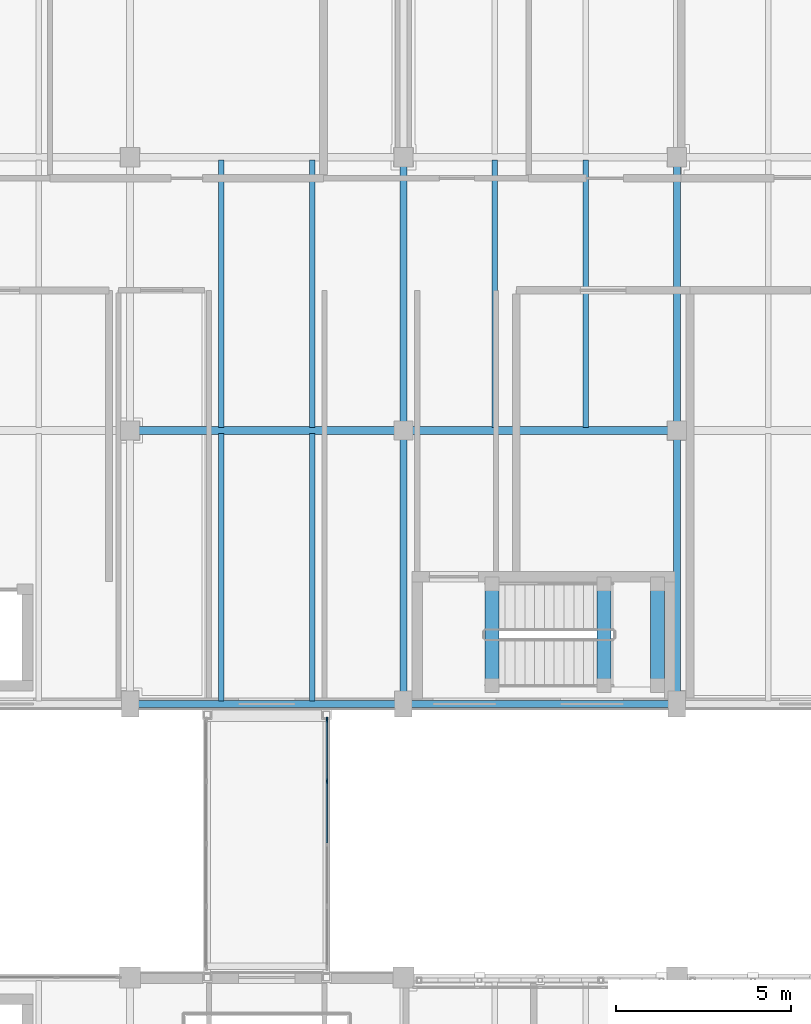
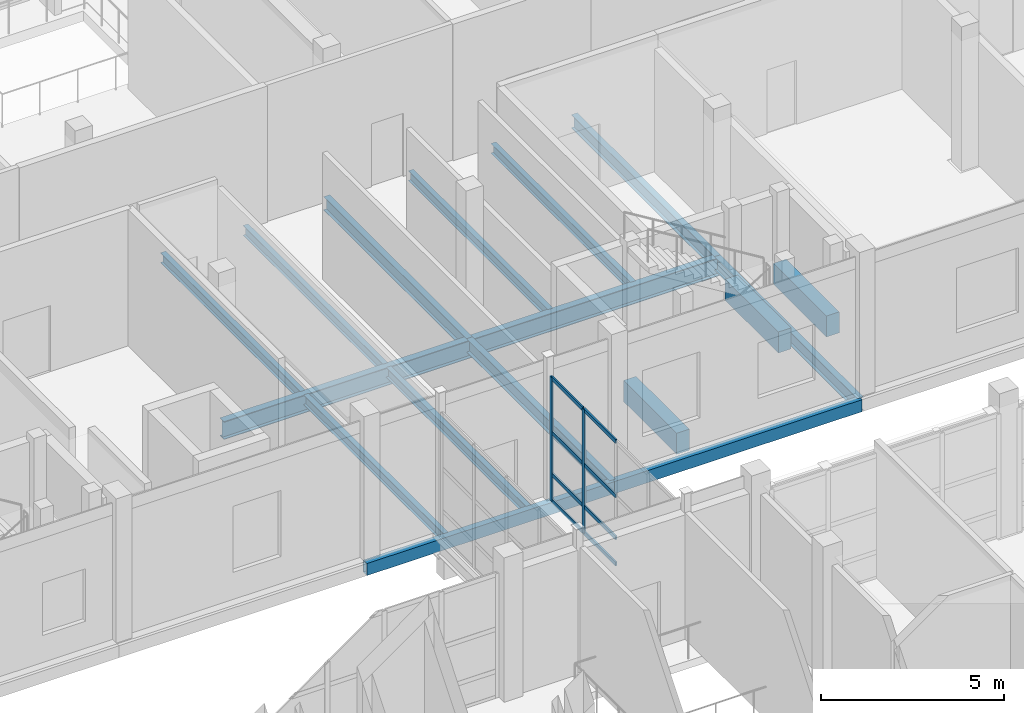
# One storey, part 31 of 138: 17 beams, 10 members, 1 element without a shape of its own.
"""IFC4 building model written with IfcOpenShell, lengths in metres."""

from ifc_helpers import new_model, si_unit, direction, frame, origin, origin_2d, place, context, subcontext, project, spatial, rectangle, hollow_rectangle, i_section, extrude, material, layer, layer_set, material_profile, profile_set, type_object, element, aggregate, save


model = new_model("IFC4")

# Units and contexts
model_context = context("Model", 3, precision=1e-05, world=origin(), true_north=direction((0.0, 1.0)))
body_context = subcontext(model_context, "Body", "Model", "MODEL_VIEW")
ifc_project = project(units=[si_unit("LENGTHUNIT", "METRE"), si_unit("AREAUNIT", "SQUARE_METRE"), si_unit("VOLUMEUNIT", "CUBIC_METRE"), si_unit("PLANEANGLEUNIT", "RADIAN"), si_unit("MASSUNIT", "GRAM", prefix="KILO")], contexts=[model_context])

# Site, building, storey
site_placement = place(None, origin())
site = spatial("IfcSite", under=ifc_project, at=site_placement, CompositionType="ELEMENT")
building_placement = place(site_placement, origin())
building = spatial("IfcBuilding", under=site, at=building_placement, Name="Celorna Specialist Clinic", CompositionType="ELEMENT")
storey_placement = place(building_placement, frame((0.0, 0.0, 4.800048828125)))
storey = spatial("IfcBuildingStorey", under=building, at=storey_placement, Name="L01", CompositionType="ELEMENT", Elevation=4.800048828125)

# Beams
ifc_material_1 = material(Name="Steel S355", Category="steel")
ifc_material_profile_1 = material_profile(ifc_material_1, i_section(OverallWidth=0.219970703125, OverallDepth=0.60009765625, WebThickness=0.011962890625, FlangeThickness=0.01904296875, at=origin_2d()), Name="IPE 600")
ifc_profile_set_1 = profile_set([ifc_material_profile_1], Name="Steel S355")
beam_type_1 = type_object("IfcBeamType", Name="BM-06", PredefinedType="BEAM", material=ifc_profile_set_1)
beam_1_placement = place(storey_placement, frame((15.60009765625, 42.89990234375, -0.64013671875), z_axis=(1.0, 0.0, 0.0), x_axis=(0.0, 1.0, 0.0)))
element("IfcBeam", 1, at=beam_1_placement, inside=storey, type_object=beam_type_1, Name="Primary girder BM-06 #365", PredefinedType="BEAM", context=body_context, shape_type="SweptSolid", body=[
    extrude(i_section(OverallWidth=0.219970703125, OverallDepth=0.60009765625, WebThickness=0.011962890625, FlangeThickness=0.01904296875, at=origin_2d()), origin(), (0.0, 0.0, 1.0), 7.7998046875),
])
beam_2_placement = place(storey_placement, frame((23.39990234375, 42.89990234375, -0.64013671875), z_axis=(1.0, 0.0, 0.0), x_axis=(0.0, 1.0, 0.0)))
element("IfcBeam", 2, at=beam_2_placement, inside=storey, type_object=beam_type_1, Name="Primary girder BM-06 #366", PredefinedType="BEAM", context=body_context, shape_type="SweptSolid", body=[
    extrude(i_section(OverallWidth=0.219970703125, OverallDepth=0.60009765625, WebThickness=0.011962890625, FlangeThickness=0.01904296875, at=origin_2d()), origin(), (0.0, 0.0, 1.0), 7.800048828125),
])
ifc_material_profile_2 = material_profile(ifc_material_1, i_section(OverallWidth=0.18994140625, OverallDepth=0.449951171875, WebThickness=0.009521484375, FlangeThickness=0.0146484375, at=origin_2d()), Name="IPE 450")
ifc_profile_set_2 = profile_set([ifc_material_profile_2], Name="Steel S355")
beam_type_2 = type_object("IfcBeamType", Name="BM-09", PredefinedType="BEAM", material=ifc_profile_set_2)
beam_3_placement = place(storey_placement, frame((23.39990234375, 35.10009765625, -0.56494140625), z_axis=(0.0, 1.0, 0.0), x_axis=(-1.0, 0.0, 0.0)))
element("IfcBeam", 3, at=beam_3_placement, inside=storey, type_object=beam_type_2, Name="Transverse girder BM-09 #398", PredefinedType="BEAM", context=body_context, shape_type="SweptSolid", body=[
    extrude(i_section(OverallWidth=0.18994140625, OverallDepth=0.449951171875, WebThickness=0.009521484375, FlangeThickness=0.0146484375, at=origin_2d()), origin(), (0.0, 0.0, 1.0), 7.7998046875),
])
beam_4_placement = place(storey_placement, frame((23.39990234375, 42.89990234375, -0.56494140625), z_axis=(0.0, 1.0, 0.0), x_axis=(-1.0, 0.0, 0.0)))
element("IfcBeam", 4, at=beam_4_placement, inside=storey, type_object=beam_type_2, Name="Transverse girder BM-09 #399", PredefinedType="BEAM", context=body_context, shape_type="SweptSolid", body=[
    extrude(i_section(OverallWidth=0.18994140625, OverallDepth=0.449951171875, WebThickness=0.009521484375, FlangeThickness=0.0146484375, at=origin_2d()), origin(), (0.0, 0.0, 1.0), 7.800048828125),
])
beam_5_placement = place(storey_placement, frame((31.199951171875, 35.10009765625, -0.56494140625), z_axis=(0.0, 1.0, 0.0), x_axis=(-1.0, 0.0, 0.0)))
element("IfcBeam", 5, at=beam_5_placement, inside=storey, type_object=beam_type_2, Name="Transverse girder BM-09 #402", PredefinedType="BEAM", context=body_context, shape_type="SweptSolid", body=[
    extrude(i_section(OverallWidth=0.18994140625, OverallDepth=0.449951171875, WebThickness=0.009521484375, FlangeThickness=0.0146484375, at=origin_2d()), origin(), (0.0, 0.0, 1.0), 7.7998046875),
])
beam_6_placement = place(storey_placement, frame((31.199951171875, 42.89990234375, -0.56494140625), z_axis=(0.0, 1.0, 0.0), x_axis=(-1.0, 0.0, 0.0)))
element("IfcBeam", 6, at=beam_6_placement, inside=storey, type_object=beam_type_2, Name="Transverse girder BM-09 #403", PredefinedType="BEAM", context=body_context, shape_type="SweptSolid", body=[
    extrude(i_section(OverallWidth=0.18994140625, OverallDepth=0.449951171875, WebThickness=0.009521484375, FlangeThickness=0.0146484375, at=origin_2d()), origin(), (0.0, 0.0, 1.0), 7.800048828125),
])
ifc_material_profile_3 = material_profile(ifc_material_1, i_section(OverallWidth=0.159912109375, OverallDepth=0.330078125, WebThickness=0.007568359375, FlangeThickness=0.011474609375, at=origin_2d()), Name="IPE 330")
ifc_profile_set_3 = profile_set([ifc_material_profile_3], Name="Steel S355")
beam_type_3 = type_object("IfcBeamType", Name="BM-12", PredefinedType="JOIST", material=ifc_profile_set_3)
for number, where, z_axis, x_axis, name in (
    (7, (18.199951171875, 35.18798828125, -0.505126953125), (0.0, 1.0, 0.0), (-1.0, 0.0, 0.0), "Secondary floor joist BM-12 #428"),
    (8, (20.800048828125, 35.18798828125, -0.505126953125), (0.0, 1.0, 0.0), (-1.0, 0.0, 0.0), "Secondary floor joist BM-12 #429"),
    (9, (18.199951171875, 42.988037109375, -0.505126953125), (0.0, 1.0, 0.0), (-1.0, 0.0, 0.0), "Secondary floor joist BM-12 #430"),
    (10, (20.800048828125, 42.988037109375, -0.505126953125), (0.0, 1.0, 0.0), (-1.0, 0.0, 0.0), "Secondary floor joist BM-12 #431"),
    (11, (26.0, 42.988037109375, -0.505126953125), (0.0, 1.0, 0.0), (-1.0, 0.0, 0.0), "Secondary floor joist BM-12 #432"),
    (12, (28.60009765625, 42.988037109375, -0.505126953125), (0.0, 1.0, 0.0), (-1.0, 0.0, 0.0), "Secondary floor joist BM-12 #433"),
):
    element("IfcBeam", number, at=place(storey_placement, frame(where, z_axis=z_axis, x_axis=x_axis)), inside=storey, type_object=beam_type_3, Name=name, PredefinedType="JOIST", context=body_context, shape_type="SweptSolid", body=[
        extrude(i_section(OverallWidth=0.159912109375, OverallDepth=0.330078125, WebThickness=0.007568359375, FlangeThickness=0.011474609375, at=origin_2d()), origin(), (0.0, 0.0, 1.0), 7.6240234375),
    ])
ifc_material_profile_4 = material_profile(ifc_material_1, hollow_rectangle(XDim=0.199951171875, YDim=0.39990234375, WallThickness=0.011962890625, at=origin_2d()), Name="RHS 200x400x12")
ifc_profile_set_4 = profile_set([ifc_material_profile_4], Name="Steel S355")
beam_type_4 = type_object("IfcBeamType", Name="BM-15", PredefinedType="SPANDREL", material=ifc_profile_set_4)
beam_7_placement = place(storey_placement, frame((15.60009765625, 35.10009765625, -0.5400390625), z_axis=(1.0, 0.0, 0.0), x_axis=(0.0, 1.0, 0.0)))
element("IfcBeam", 13, at=beam_7_placement, inside=storey, type_object=beam_type_4, Name="Spandrel beam BM-15 #359", PredefinedType="SPANDREL", context=body_context, shape_type="SweptSolid", body=[
    extrude(hollow_rectangle(XDim=0.199951171875, YDim=0.39990234375, WallThickness=0.011962890625, at=origin_2d()), origin(), (0.0, 0.0, 1.0), 7.7998046875),
])
beam_8_placement = place(storey_placement, frame((23.39990234375, 35.10009765625, -0.5400390625), z_axis=(1.0, 0.0, 0.0), x_axis=(0.0, 1.0, 0.0)))
element("IfcBeam", 14, at=beam_8_placement, inside=storey, type_object=beam_type_4, Name="Spandrel beam BM-15 #360", PredefinedType="SPANDREL", context=body_context, shape_type="SweptSolid", body=[
    extrude(hollow_rectangle(XDim=0.199951171875, YDim=0.39990234375, WallThickness=0.011962890625, at=origin_2d()), origin(), (0.0, 0.0, 1.0), 7.800048828125),
])
ifc_material_2 = material(Name="Concrete C35/45", Category="concrete")
ifc_material_profile_5 = material_profile(ifc_material_2, rectangle(XDim=0.39990234375, YDim=0.699951171875, at=origin_2d()), Name="RC 400x700")
ifc_profile_set_5 = profile_set([ifc_material_profile_5], Name="Concrete C35/45")
beam_type_5 = type_object("IfcBeamType", Name="BM-19", PredefinedType="BEAM", material=ifc_profile_set_5)
for number, where, z_axis, x_axis, name in (
    (15, (25.919921875, 35.6298828125, -0.275146484375), (0.0, 1.0, 0.0), (-1.0, 0.0, 0.0), "Stair ST-07 floor landing trimmer beam L01"),
    (16, (29.1201171875, 35.6298828125, 1.974853515625), (0.0, 1.0, 0.0), (-1.0, 0.0, 0.0), "Stair ST-07 half-landing beam L01"),
    (17, (30.639892578125, 35.6298828125, 1.974853515625), (0.0, 1.0, 0.0), (-1.0, 0.0, 0.0), "Stair ST-07 half-landing beam L01"),
):
    element("IfcBeam", number, at=place(storey_placement, frame(where, z_axis=z_axis, x_axis=x_axis)), inside=storey, type_object=beam_type_5, Name=name, PredefinedType="BEAM", context=body_context, shape_type="SweptSolid", body=[
        extrude(rectangle(XDim=0.39990234375, YDim=0.699951171875, at=origin_2d()), origin(), (0.0, 0.0, 1.0), 2.900146484375),
    ])

# Curtain wall, members
ifc_material_3 = material(Name="Thermally broken aluminium and solar-control glass curtain wall", Category="aluminium")
ifc_layer = layer(ifc_material_3, 0.159912109375, Name="Thermally broken aluminium and solar-control glass curtain wall")
ifc_layer_set = layer_set([ifc_layer], Name="Thermally broken aluminium and solar-control glass curtain wall")
curtain_wall_type = type_object("IfcCurtainWallType", Name="CW-111", PredefinedType="NOTDEFINED", material=ifc_layer_set)
curtain_wall_placement = place(storey_placement, origin())
curtain_wall = element("IfcCurtainWall", 18, at=curtain_wall_placement, inside=storey, type_object=curtain_wall_type, Name="Curtain wall CW-111 #201", PredefinedType="NOTDEFINED")
ifc_material_4 = material(Name="Anodized aluminium mullion", Category="aluminium")
ifc_material_profile_6 = material_profile(ifc_material_4, rectangle(XDim=0.050048828125, YDim=0.139892578125, at=origin_2d()), Name="ALU MULLION 50x140")
ifc_profile_set_6 = profile_set([ifc_material_profile_6], Name="Anodized aluminium mullion")
member_type_1 = type_object("IfcMemberType", Name="ML-03", PredefinedType="MULLION", material=ifc_profile_set_6)
member_1_placement = place(storey_placement, frame((21.219970703125, 34.655029296875, 0.0), z_axis=(0.0, 0.0, 1.0), x_axis=(1.0, 0.0, 0.0)))
member_1 = element("IfcMember", 19, at=member_1_placement, type_object=member_type_1, Name="CW-111 mullion 1", PredefinedType="MULLION", context=body_context, shape_type="SweptSolid", body=[
    extrude(rectangle(XDim=0.050048828125, YDim=0.139892578125, at=origin_2d()), origin(), (0.0, 0.0, 1.0), 4.1298828125),
])
member_2_placement = place(storey_placement, frame((21.219970703125, 32.8974609375, 0.0), z_axis=(0.0, 0.0, 1.0), x_axis=(1.0, 0.0, 0.0)))
member_2 = element("IfcMember", 20, at=member_2_placement, type_object=member_type_1, Name="CW-111 mullion 2", PredefinedType="MULLION", context=body_context, shape_type="SweptSolid", body=[
    extrude(rectangle(XDim=0.050048828125, YDim=0.139892578125, at=origin_2d()), origin(), (0.0, 0.0, 1.0), 4.1298828125),
])
ifc_material_5 = material(Name="Anodized aluminium transom", Category="aluminium")
ifc_material_profile_7 = material_profile(ifc_material_5, rectangle(XDim=0.050048828125, YDim=0.1298828125, at=origin_2d()), Name="ALU TRANSOM 50x130")
ifc_profile_set_7 = profile_set([ifc_material_profile_7], Name="Anodized aluminium transom")
member_type_2 = type_object("IfcMemberType", Name="TR-01", PredefinedType="USERDEFINED", material=ifc_profile_set_7)
member_3_placement = place(storey_placement, frame((21.219970703125, 34.6298828125, 0.02490234375), z_axis=(0.0, -1.0, 0.0), x_axis=(1.0, 0.0, 0.0)))
member_3 = element("IfcMember", 21, at=member_3_placement, type_object=member_type_2, Name="CW-111 transom 1.1", ObjectType="TRANSOM", PredefinedType="USERDEFINED", context=body_context, shape_type="SweptSolid", body=[
    extrude(rectangle(XDim=0.050048828125, YDim=0.1298828125, at=origin_2d()), origin(), (0.0, 0.0, 1.0), 1.707275390625),
])
member_4_placement = place(storey_placement, frame((21.219970703125, 34.6298828125, 0.89990234375), z_axis=(0.0, -1.0, 0.0), x_axis=(1.0, 0.0, 0.0)))
member_4 = element("IfcMember", 22, at=member_4_placement, type_object=member_type_2, Name="CW-111 transom 1.2", ObjectType="TRANSOM", PredefinedType="USERDEFINED", context=body_context, shape_type="SweptSolid", body=[
    extrude(rectangle(XDim=0.050048828125, YDim=0.1298828125, at=origin_2d()), origin(), (0.0, 0.0, 1.0), 1.707275390625),
])
member_5_placement = place(storey_placement, frame((21.219970703125, 34.6298828125, 2.300048828125), z_axis=(0.0, -1.0, 0.0), x_axis=(1.0, 0.0, 0.0)))
member_5 = element("IfcMember", 23, at=member_5_placement, type_object=member_type_2, Name="CW-111 transom 1.3", ObjectType="TRANSOM", PredefinedType="USERDEFINED", context=body_context, shape_type="SweptSolid", body=[
    extrude(rectangle(XDim=0.050048828125, YDim=0.1298828125, at=origin_2d()), origin(), (0.0, 0.0, 1.0), 1.707275390625),
])
member_6_placement = place(storey_placement, frame((21.219970703125, 34.6298828125, 4.10498046875), z_axis=(0.0, -1.0, 0.0), x_axis=(1.0, 0.0, 0.0)))
member_6 = element("IfcMember", 24, at=member_6_placement, type_object=member_type_2, Name="CW-111 transom 1.4", ObjectType="TRANSOM", PredefinedType="USERDEFINED", context=body_context, shape_type="SweptSolid", body=[
    extrude(rectangle(XDim=0.050048828125, YDim=0.1298828125, at=origin_2d()), origin(), (0.0, 0.0, 1.0), 1.707275390625),
])
member_7_placement = place(storey_placement, frame((21.219970703125, 32.87255859375, 0.02490234375), z_axis=(0.0, -1.0, 0.0), x_axis=(1.0, 0.0, 0.0)))
member_7 = element("IfcMember", 25, at=member_7_placement, type_object=member_type_2, Name="CW-111 transom 2.1", ObjectType="TRANSOM", PredefinedType="USERDEFINED", context=body_context, shape_type="SweptSolid", body=[
    extrude(rectangle(XDim=0.050048828125, YDim=0.1298828125, at=origin_2d()), origin(), (0.0, 0.0, 1.0), 1.732666015625),
])
member_8_placement = place(storey_placement, frame((21.219970703125, 32.87255859375, 0.89990234375), z_axis=(0.0, -1.0, 0.0), x_axis=(1.0, 0.0, 0.0)))
member_8 = element("IfcMember", 26, at=member_8_placement, type_object=member_type_2, Name="CW-111 transom 2.2", ObjectType="TRANSOM", PredefinedType="USERDEFINED", context=body_context, shape_type="SweptSolid", body=[
    extrude(rectangle(XDim=0.050048828125, YDim=0.1298828125, at=origin_2d()), origin(), (0.0, 0.0, 1.0), 1.732666015625),
])
member_9_placement = place(storey_placement, frame((21.219970703125, 32.87255859375, 2.300048828125), z_axis=(0.0, -1.0, 0.0), x_axis=(1.0, 0.0, 0.0)))
member_9 = element("IfcMember", 27, at=member_9_placement, type_object=member_type_2, Name="CW-111 transom 2.3", ObjectType="TRANSOM", PredefinedType="USERDEFINED", context=body_context, shape_type="SweptSolid", body=[
    extrude(rectangle(XDim=0.050048828125, YDim=0.1298828125, at=origin_2d()), origin(), (0.0, 0.0, 1.0), 1.732666015625),
])
member_10_placement = place(storey_placement, frame((21.219970703125, 32.87255859375, 4.10498046875), z_axis=(0.0, -1.0, 0.0), x_axis=(1.0, 0.0, 0.0)))
member_10 = element("IfcMember", 28, at=member_10_placement, type_object=member_type_2, Name="CW-111 transom 2.4", ObjectType="TRANSOM", PredefinedType="USERDEFINED", context=body_context, shape_type="SweptSolid", body=[
    extrude(rectangle(XDim=0.050048828125, YDim=0.1298828125, at=origin_2d()), origin(), (0.0, 0.0, 1.0), 1.732666015625),
])
aggregate(curtain_wall, [member_1, member_2, member_3, member_4, member_5, member_6, member_7, member_8, member_9, member_10])

save(model, "model.ifc")
